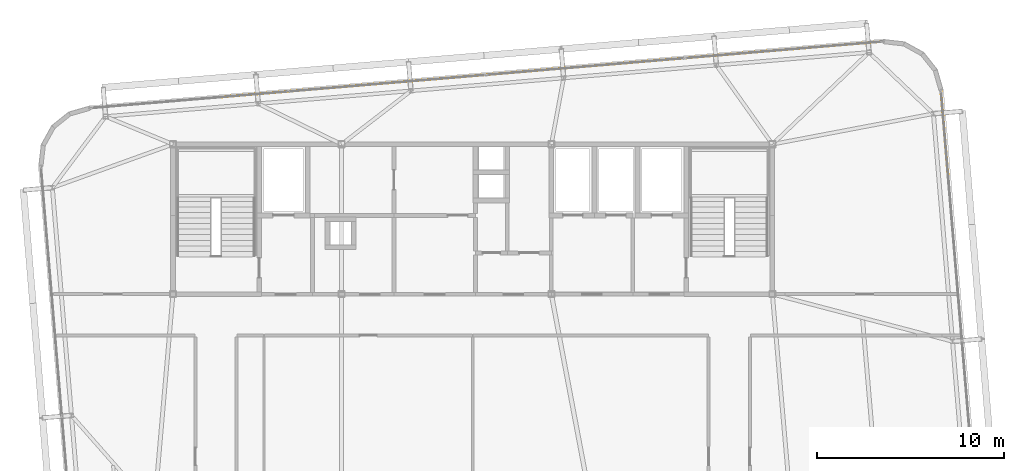
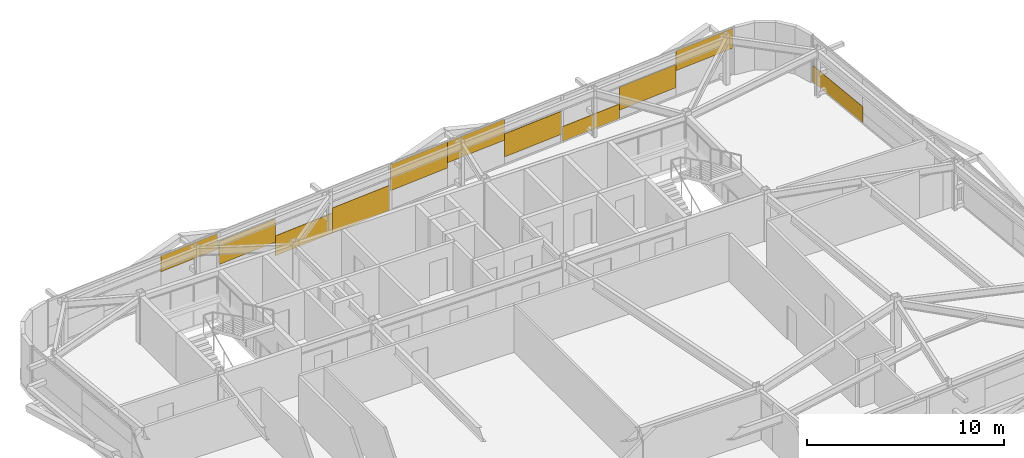
# One storey, part 39 of 39: 11 coverings.
"""IFC4 building model written with IfcOpenShell, lengths in metres."""

from ifc_helpers import new_model, si_unit, direction, frame, origin, origin_2d, place, context, subcontext, project, spatial, rectangle, extrude, source, transform, mapped, material, layer, layer_set, type_object, element, save


model = new_model("IFC4")

# Units and contexts
model_context = context("Model", 3, precision=1e-05, world=origin(), true_north=direction((0.0, 1.0)))
body_context = subcontext(model_context, "Body", "Model", "MODEL_VIEW")
ifc_project = project(units=[si_unit("LENGTHUNIT", "METRE"), si_unit("AREAUNIT", "SQUARE_METRE"), si_unit("VOLUMEUNIT", "CUBIC_METRE"), si_unit("PLANEANGLEUNIT", "RADIAN"), si_unit("MASSUNIT", "GRAM", prefix="KILO")], contexts=[model_context])

# Site, building, storey
site_placement = place(None, origin())
site = spatial("IfcSite", under=ifc_project, at=site_placement, CompositionType="ELEMENT")
building_placement = place(site_placement, origin())
building = spatial("IfcBuilding", under=site, at=building_placement, Name="Taldren Reach Tower", CompositionType="ELEMENT")
storey_placement = place(building_placement, frame((0.0, 0.0, 197.75)))
storey = spatial("IfcBuildingStorey", under=building, at=storey_placement, Name="L60", CompositionType="ELEMENT", Elevation=197.75)

# Coverings
ifc_material = material(Name="Pale Champagne Fluoropolymer Aluminium Spandrel Cladding", Category="aluminium")
ifc_layer = layer(ifc_material, 0.0439453125)
ifc_layer_set = layer_set([ifc_layer], Name="Pale Champagne Fluoropolymer Aluminium Spandrel Cladding")
covering_type = type_object("IfcCoveringType", Name="CV-CLAD-044", PredefinedType="CLADDING", material=ifc_layer_set)
shared_shape_1 = source(origin(), body_context, "Body", "SweptSolid", [
    extrude(rectangle(XDim=3.506591796875, YDim=0.0439453125, at=origin_2d()), origin(), (0.0, 0.0, 1.0), 1.42724609375),
])
covering_1_placement = place(storey_placement, frame((51.603515625, 37.03515625, 0.590576171875), z_axis=(0.0, 0.0, 1.0), x_axis=(-0.99649285657, -0.083677875247, 0.0)))
element("IfcCovering", 1, at=covering_1_placement, inside=storey, type_object=covering_type, Name="Diagrid closure cladding strip CW-5 panel 1.1 2", PredefinedType="CLADDING", context=body_context, shape_type="MappedRepresentation", body=[
    mapped(shared_shape_1, transform((0.0, 0.0, 0.0), scale=1.0)),
])
shared_shape_2 = source(origin(), body_context, "Body", "SweptSolid", [
    extrude(rectangle(XDim=3.506591796875, YDim=0.0439453125, at=origin_2d()), origin(), (0.0, 0.0, 1.0), 0.976318359375),
])
covering_2_placement = place(storey_placement, frame((23.36962890625, 34.664306640625, 1.8935546875), z_axis=(0.0, 0.0, 1.0), x_axis=(-0.99649285657, -0.083677875247, 0.0)))
element("IfcCovering", 2, at=covering_2_placement, inside=storey, type_object=covering_type, Name="Diagrid closure cladding strip CW-5 panel 4.1 1", PredefinedType="CLADDING", context=body_context, shape_type="MappedRepresentation", body=[
    mapped(shared_shape_2, transform((0.0, 0.0, 0.0), scale=1.0)),
])
shared_shape_3 = source(origin(), body_context, "Body", "SweptSolid", [
    extrude(rectangle(XDim=3.518310546875, YDim=0.0439453125, at=origin_2d()), origin(), (0.0, 0.0, 1.0), 1.4306640625),
])
for number, where, z_axis, x_axis, name in (
    (3, (44.539306640625, 36.44189453125, 0.5263671875), (0.0, 0.0, 1.0), (-0.99649285657, -0.083677875247, 0.0), "Diagrid closure cladding strip CW-5 panel 2.1 1"),
    (4, (26.939453125, 34.964111328125, 0.9130859375), (0.0, 0.0, 1.0), (-0.99649285657, -0.083677875247, 0.0), "Diagrid closure cladding strip CW-5 panel 3.1 3"),
):
    element("IfcCovering", number, at=place(storey_placement, frame(where, z_axis=z_axis, x_axis=x_axis)), inside=storey, type_object=covering_type, Name=name, PredefinedType="CLADDING", context=body_context, shape_type="MappedRepresentation", body=[
        mapped(shared_shape_3, transform((0.0, 0.0, 0.0), scale=1.0)),
    ])
shared_shape_4 = source(origin(), body_context, "Body", "SweptSolid", [
    extrude(rectangle(XDim=3.518310546875, YDim=0.0439453125, at=origin_2d()), origin(), (0.0, 0.0, 1.0), 1.238525390625),
])
covering_3_placement = place(storey_placement, frame((30.445556640625, 35.258544921875, 0.06005859375), z_axis=(0.0, 0.0, 1.0), x_axis=(-0.99649285657, -0.083677875247, 0.0)))
element("IfcCovering", 5, at=covering_3_placement, inside=storey, type_object=covering_type, Name="Diagrid closure cladding strip CW-5 panel 3.1 2", PredefinedType="CLADDING", context=body_context, shape_type="MappedRepresentation", body=[
    mapped(shared_shape_4, transform((0.0, 0.0, 0.0), scale=1.0)),
])
shared_shape_5 = source(origin(), body_context, "Body", "SweptSolid", [
    extrude(rectangle(XDim=3.518310546875, YDim=0.0439453125, at=origin_2d()), origin(), (0.0, 0.0, 1.0), 1.557373046875),
])
covering_4_placement = place(storey_placement, frame((33.951416015625, 35.552734375, 0.06005859375), z_axis=(0.0, 0.0, 1.0), x_axis=(-0.99649285657, -0.083677875247, 0.0)))
element("IfcCovering", 6, at=covering_4_placement, inside=storey, type_object=covering_type, Name="Diagrid closure cladding strip CW-5 panel 3.1 1", PredefinedType="CLADDING", context=body_context, shape_type="MappedRepresentation", body=[
    mapped(shared_shape_5, transform((0.0, 0.0, 0.0), scale=1.0)),
])
shared_shape_6 = source(origin(), body_context, "Body", "SweptSolid", [
    extrude(rectangle(XDim=3.518310546875, YDim=0.0439453125, at=origin_2d()), origin(), (0.0, 0.0, 1.0), 1.617431640625),
])
covering_5_placement = place(storey_placement, frame((37.52734375, 35.85302734375, 1.25244140625), z_axis=(0.0, 0.0, 1.0), x_axis=(-0.99649285657, -0.083677875247, 0.0)))
element("IfcCovering", 7, at=covering_5_placement, inside=storey, type_object=covering_type, Name="Diagrid closure cladding strip CW-5 panel 2.1 3", PredefinedType="CLADDING", context=body_context, shape_type="MappedRepresentation", body=[
    mapped(shared_shape_6, transform((0.0, 0.0, 0.0), scale=1.0)),
])
shared_shape_7 = source(origin(), body_context, "Body", "SweptSolid", [
    extrude(rectangle(XDim=3.518310546875, YDim=0.0439453125, at=origin_2d()), origin(), (0.0, 0.0, 1.0), 1.298583984375),
])
covering_6_placement = place(storey_placement, frame((41.033203125, 36.1474609375, 1.5712890625), z_axis=(0.0, 0.0, 1.0), x_axis=(-0.99649285657, -0.083677875247, 0.0)))
element("IfcCovering", 8, at=covering_6_placement, inside=storey, type_object=covering_type, Name="Diagrid closure cladding strip CW-5 panel 2.1 2", PredefinedType="CLADDING", context=body_context, shape_type="MappedRepresentation", body=[
    mapped(shared_shape_7, transform((0.0, 0.0, 0.0), scale=1.0)),
])
shared_shape_8 = source(origin(), body_context, "Body", "SweptSolid", [
    extrude(rectangle(XDim=3.506591796875, YDim=0.0439453125, at=origin_2d()), origin(), (0.0, 0.0, 1.0), 0.916259765625),
])
covering_7_placement = place(storey_placement, frame((48.109130859375, 36.74169921875, 0.06005859375), z_axis=(0.0, 0.0, 1.0), x_axis=(-0.99649285657, -0.083677875247, 0.0)))
element("IfcCovering", 9, at=covering_7_placement, inside=storey, type_object=covering_type, Name="Diagrid closure cladding strip CW-5 panel 1.1 3", PredefinedType="CLADDING", context=body_context, shape_type="MappedRepresentation", body=[
    mapped(shared_shape_8, transform((0.0, 0.0, 0.0), scale=1.0)),
])
shared_shape_9 = source(origin(), body_context, "Body", "SweptSolid", [
    extrude(rectangle(XDim=3.506591796875, YDim=0.0439453125, at=origin_2d()), origin(), (0.0, 0.0, 1.0), 1.237548828125),
])
covering_8_placement = place(storey_placement, frame((55.097900390625, 37.32861328125, 1.63232421875), z_axis=(0.0, 0.0, 1.0), x_axis=(-0.99649285657, -0.083677875247, 0.0)))
element("IfcCovering", 10, at=covering_8_placement, inside=storey, type_object=covering_type, Name="Diagrid closure cladding strip CW-5 panel 1.1 1", PredefinedType="CLADDING", context=body_context, shape_type="MappedRepresentation", body=[
    mapped(shared_shape_9, transform((0.0, 0.0, 0.0), scale=1.0)),
])
shared_shape_10 = source(origin(), body_context, "Body", "SweptSolid", [
    extrude(rectangle(XDim=4.431640625, YDim=0.0439453125, at=origin_2d()), origin(), (0.0, 0.0, 1.0), 1.006103515625),
])
covering_9_placement = place(storey_placement, frame((60.1953125, 32.5927734375, 0.06005859375), z_axis=(0.0, 0.0, 1.0), x_axis=(-0.083677979808, 0.996492847789, 0.0)))
element("IfcCovering", 11, at=covering_9_placement, inside=storey, type_object=covering_type, Name="Diagrid closure cladding strip CW-5 panel 2.1 3", PredefinedType="CLADDING", context=body_context, shape_type="MappedRepresentation", body=[
    mapped(shared_shape_10, transform((0.0, 0.0, 0.0), scale=1.0)),
])

save(model, "model.ifc")
